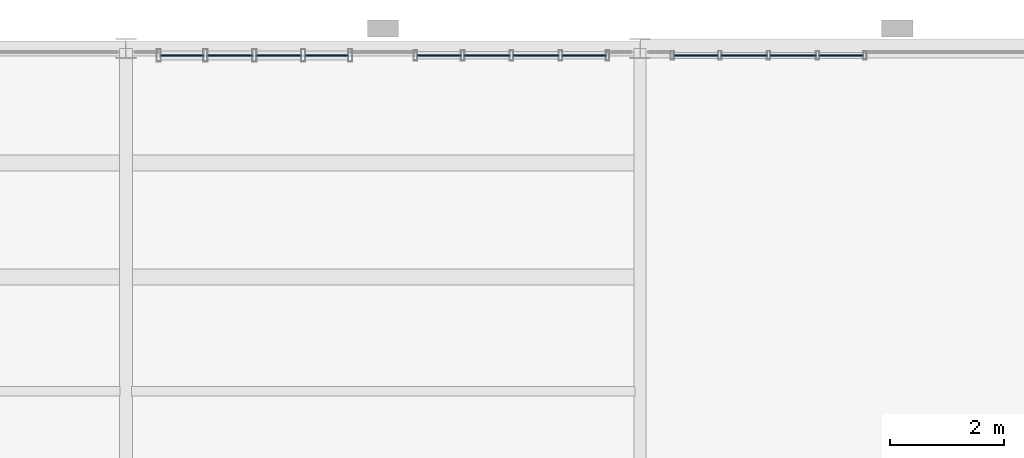
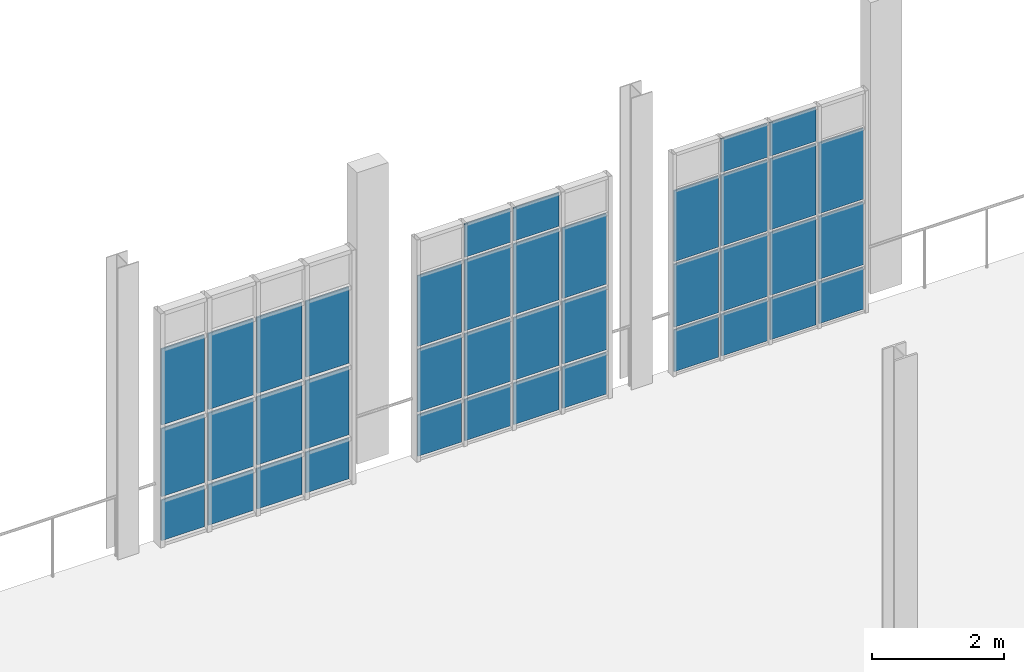
# One storey, part 114 of 142: 40 plates, 3 elements without a shape of their own.
"""IFC4 building model written with IfcOpenShell, lengths in metres."""

from ifc_helpers import new_model, si_unit, direction, frame, origin, origin_2d, place, context, subcontext, project, spatial, rectangle, extrude, material, layer, layer_set, type_object, element, aggregate, save


model = new_model("IFC4")

# Units and contexts
model_context = context("Model", 3, precision=1e-05, world=origin(), true_north=direction((0.0, 1.0)))
body_context = subcontext(model_context, "Body", "Model", "MODEL_VIEW")
ifc_project = project(units=[si_unit("LENGTHUNIT", "METRE"), si_unit("AREAUNIT", "SQUARE_METRE"), si_unit("VOLUMEUNIT", "CUBIC_METRE"), si_unit("PLANEANGLEUNIT", "RADIAN"), si_unit("MASSUNIT", "GRAM", prefix="KILO"), si_unit("THERMODYNAMICTEMPERATUREUNIT", "KELVIN"), si_unit("POWERUNIT", "WATT")], contexts=[model_context])

# Site, building, storey
site_placement = place(None, origin())
site = spatial("IfcSite", under=ifc_project, at=site_placement, CompositionType="ELEMENT")
building_placement = place(site_placement, origin())
building = spatial("IfcBuilding", under=site, at=building_placement, Name="Zelmaris Science Centre", CompositionType="ELEMENT")
storey_placement = place(building_placement, frame((0.0, 0.0, 5.39990234375)))
storey = spatial("IfcBuildingStorey", under=building, at=storey_placement, Name="L01", CompositionType="ELEMENT", Elevation=5.39990234375)

# Curtain wall, plates
ifc_material_1 = material(Name="Anodised architectural aluminium 6063-T6", Category="aluminium")
ifc_layer_1 = layer(ifc_material_1, 0.199951171875, Name="Anodised architectural aluminium 6063-T6")
ifc_layer_set_1 = layer_set([ifc_layer_1], Name="Anodised architectural aluminium 6063-T6")
curtain_wall_type_1 = type_object("IfcCurtainWallType", Name="Curtain Wall CW-02", PredefinedType="USERDEFINED", material=ifc_layer_set_1)
curtain_wall_1_placement = place(storey_placement, origin())
curtain_wall_1 = element("IfcCurtainWall", 1, at=curtain_wall_1_placement, inside=storey, type_object=curtain_wall_type_1, Name="L01 Unitised curtain wall 138", ObjectType="GLAZED CURTAIN WALL", PredefinedType="USERDEFINED")
ifc_material_2 = material(Name="Laminated hurricane-rated low-E insulated glazing", Category="glass")
ifc_layer_2 = layer(ifc_material_2, 0.028076171875, Name="Laminated hurricane-rated low-E insulated glazing")
ifc_layer_set_2 = layer_set([ifc_layer_2], Name="Laminated hurricane-rated low-E insulated glazing")
plate_type_1 = type_object("IfcPlateType", Name="Curtain Glazing Panel CWP-2 28mm", PredefinedType="CURTAIN_PANEL", material=ifc_layer_set_2)
plate_1_placement = place(storey_placement, frame((90.984130859375, 87.8798828125, 0.052001953125), z_axis=(0.0, 0.0, 1.0), x_axis=(1.0, 0.0, 0.0)))
plate_1 = element("IfcPlate", 2, at=plate_1_placement, type_object=plate_type_1, Name="CW-02 panel 1.1", PredefinedType="CURTAIN_PANEL", context=body_context, shape_type="SweptSolid", body=[
    extrude(rectangle(XDim=0.75439453125, YDim=0.028076171875, at=origin_2d()), origin(), (0.0, 0.0, 1.0), 0.74951171875),
])
plate_2_placement = place(storey_placement, frame((90.984130859375, 87.8798828125, 0.86865234375), z_axis=(0.0, 0.0, 1.0), x_axis=(1.0, 0.0, 0.0)))
plate_2 = element("IfcPlate", 3, at=plate_2_placement, type_object=plate_type_1, Name="CW-02 panel 1.2", PredefinedType="CURTAIN_PANEL", context=body_context, shape_type="SweptSolid", body=[
    extrude(rectangle(XDim=0.75439453125, YDim=0.028076171875, at=origin_2d()), origin(), (0.0, 0.0, 1.0), 1.258056640625),
])
plate_3_placement = place(storey_placement, frame((90.984130859375, 87.8798828125, 2.19384765625), z_axis=(0.0, 0.0, 1.0), x_axis=(1.0, 0.0, 0.0)))
plate_3 = element("IfcPlate", 4, at=plate_3_placement, type_object=plate_type_1, Name="CW-02 panel 1.3", PredefinedType="CURTAIN_PANEL", context=body_context, shape_type="SweptSolid", body=[
    extrude(rectangle(XDim=0.75439453125, YDim=0.028076171875, at=origin_2d()), origin(), (0.0, 0.0, 1.0), 1.407958984375),
])
plate_4_placement = place(storey_placement, frame((91.822509765625, 87.8798828125, 0.052001953125), z_axis=(0.0, 0.0, 1.0), x_axis=(1.0, 0.0, 0.0)))
plate_4 = element("IfcPlate", 5, at=plate_4_placement, type_object=plate_type_1, Name="CW-02 panel 2.1", PredefinedType="CURTAIN_PANEL", context=body_context, shape_type="SweptSolid", body=[
    extrude(rectangle(XDim=0.7880859375, YDim=0.028076171875, at=origin_2d()), origin(), (0.0, 0.0, 1.0), 0.74951171875),
])
plate_5_placement = place(storey_placement, frame((91.822509765625, 87.8798828125, 0.86865234375), z_axis=(0.0, 0.0, 1.0), x_axis=(1.0, 0.0, 0.0)))
plate_5 = element("IfcPlate", 6, at=plate_5_placement, type_object=plate_type_1, Name="CW-02 panel 2.2", PredefinedType="CURTAIN_PANEL", context=body_context, shape_type="SweptSolid", body=[
    extrude(rectangle(XDim=0.7880859375, YDim=0.028076171875, at=origin_2d()), origin(), (0.0, 0.0, 1.0), 1.258056640625),
])
plate_6_placement = place(storey_placement, frame((91.822509765625, 87.8798828125, 2.19384765625), z_axis=(0.0, 0.0, 1.0), x_axis=(1.0, 0.0, 0.0)))
plate_6 = element("IfcPlate", 7, at=plate_6_placement, type_object=plate_type_1, Name="CW-02 panel 2.3", PredefinedType="CURTAIN_PANEL", context=body_context, shape_type="SweptSolid", body=[
    extrude(rectangle(XDim=0.7880859375, YDim=0.028076171875, at=origin_2d()), origin(), (0.0, 0.0, 1.0), 1.407958984375),
])
plate_7_placement = place(storey_placement, frame((92.677490234375, 87.8798828125, 0.052001953125), z_axis=(0.0, 0.0, 1.0), x_axis=(1.0, 0.0, 0.0)))
plate_7 = element("IfcPlate", 8, at=plate_7_placement, type_object=plate_type_1, Name="CW-02 panel 3.1", PredefinedType="CURTAIN_PANEL", context=body_context, shape_type="SweptSolid", body=[
    extrude(rectangle(XDim=0.7880859375, YDim=0.028076171875, at=origin_2d()), origin(), (0.0, 0.0, 1.0), 0.74951171875),
])
plate_8_placement = place(storey_placement, frame((92.677490234375, 87.8798828125, 0.86865234375), z_axis=(0.0, 0.0, 1.0), x_axis=(1.0, 0.0, 0.0)))
plate_8 = element("IfcPlate", 9, at=plate_8_placement, type_object=plate_type_1, Name="CW-02 panel 3.2", PredefinedType="CURTAIN_PANEL", context=body_context, shape_type="SweptSolid", body=[
    extrude(rectangle(XDim=0.7880859375, YDim=0.028076171875, at=origin_2d()), origin(), (0.0, 0.0, 1.0), 1.258056640625),
])
plate_9_placement = place(storey_placement, frame((92.677490234375, 87.8798828125, 2.19384765625), z_axis=(0.0, 0.0, 1.0), x_axis=(1.0, 0.0, 0.0)))
plate_9 = element("IfcPlate", 10, at=plate_9_placement, type_object=plate_type_1, Name="CW-02 panel 3.3", PredefinedType="CURTAIN_PANEL", context=body_context, shape_type="SweptSolid", body=[
    extrude(rectangle(XDim=0.7880859375, YDim=0.028076171875, at=origin_2d()), origin(), (0.0, 0.0, 1.0), 1.407958984375),
])
plate_10_placement = place(storey_placement, frame((93.515869140625, 87.8798828125, 0.052001953125), z_axis=(0.0, 0.0, 1.0), x_axis=(1.0, 0.0, 0.0)))
plate_10 = element("IfcPlate", 11, at=plate_10_placement, type_object=plate_type_1, Name="CW-02 panel 4.1", PredefinedType="CURTAIN_PANEL", context=body_context, shape_type="SweptSolid", body=[
    extrude(rectangle(XDim=0.75439453125, YDim=0.028076171875, at=origin_2d()), origin(), (0.0, 0.0, 1.0), 0.74951171875),
])
plate_11_placement = place(storey_placement, frame((93.515869140625, 87.8798828125, 0.86865234375), z_axis=(0.0, 0.0, 1.0), x_axis=(1.0, 0.0, 0.0)))
plate_11 = element("IfcPlate", 12, at=plate_11_placement, type_object=plate_type_1, Name="CW-02 panel 4.2", PredefinedType="CURTAIN_PANEL", context=body_context, shape_type="SweptSolid", body=[
    extrude(rectangle(XDim=0.75439453125, YDim=0.028076171875, at=origin_2d()), origin(), (0.0, 0.0, 1.0), 1.258056640625),
])
plate_12_placement = place(storey_placement, frame((93.515869140625, 87.8798828125, 2.19384765625), z_axis=(0.0, 0.0, 1.0), x_axis=(1.0, 0.0, 0.0)))
plate_12 = element("IfcPlate", 13, at=plate_12_placement, type_object=plate_type_1, Name="CW-02 panel 4.3", PredefinedType="CURTAIN_PANEL", context=body_context, shape_type="SweptSolid", body=[
    extrude(rectangle(XDim=0.75439453125, YDim=0.028076171875, at=origin_2d()), origin(), (0.0, 0.0, 1.0), 1.407958984375),
])
aggregate(curtain_wall_1, [plate_1, plate_2, plate_3, plate_4, plate_5, plate_6, plate_7, plate_8, plate_9, plate_10, plate_11, plate_12])

ifc_layer_3 = layer(ifc_material_1, 0.2099609375, Name="Anodised architectural aluminium 6063-T6")
ifc_layer_set_3 = layer_set([ifc_layer_3], Name="Anodised architectural aluminium 6063-T6")
curtain_wall_type_2 = type_object("IfcCurtainWallType", Name="Curtain Wall CW-03", PredefinedType="USERDEFINED", material=ifc_layer_set_3)
curtain_wall_2_placement = place(storey_placement, origin())
curtain_wall_2 = element("IfcCurtainWall", 14, at=curtain_wall_2_placement, inside=storey, type_object=curtain_wall_type_2, Name="L01 Unitised curtain wall 139", ObjectType="GLAZED CURTAIN WALL", PredefinedType="USERDEFINED")
ifc_layer_4 = layer(ifc_material_2, 0.02587890625, Name="Laminated hurricane-rated low-E insulated glazing")
ifc_layer_set_4 = layer_set([ifc_layer_4], Name="Laminated hurricane-rated low-E insulated glazing")
plate_type_2 = type_object("IfcPlateType", Name="Curtain Glazing Panel CWP-3 26mm", PredefinedType="CURTAIN_PANEL", material=ifc_layer_set_4)
plate_13_placement = place(storey_placement, frame((95.481689453125, 87.8798828125, 0.0419921875), z_axis=(0.0, 0.0, 1.0), x_axis=(1.0, 0.0, 0.0)))
plate_13 = element("IfcPlate", 15, at=plate_13_placement, type_object=plate_type_2, Name="CW-03 panel 1.1", PredefinedType="CURTAIN_PANEL", context=body_context, shape_type="SweptSolid", body=[
    extrude(rectangle(XDim=0.76953125, YDim=0.02587890625, at=origin_2d()), origin(), (0.0, 0.0, 1.0), 0.764404296875),
])
plate_14_placement = place(storey_placement, frame((95.481689453125, 87.8798828125, 0.86376953125), z_axis=(0.0, 0.0, 1.0), x_axis=(1.0, 0.0, 0.0)))
plate_14 = element("IfcPlate", 16, at=plate_14_placement, type_object=plate_type_2, Name="CW-03 panel 1.2", PredefinedType="CURTAIN_PANEL", context=body_context, shape_type="SweptSolid", body=[
    extrude(rectangle(XDim=0.76953125, YDim=0.02587890625, at=origin_2d()), origin(), (0.0, 0.0, 1.0), 1.157470703125),
])
plate_15_placement = place(storey_placement, frame((95.481689453125, 87.8798828125, 2.078125), z_axis=(0.0, 0.0, 1.0), x_axis=(1.0, 0.0, 0.0)))
plate_15 = element("IfcPlate", 17, at=plate_15_placement, type_object=plate_type_2, Name="CW-03 panel 1.3", PredefinedType="CURTAIN_PANEL", context=body_context, shape_type="SweptSolid", body=[
    extrude(rectangle(XDim=0.76953125, YDim=0.02587890625, at=origin_2d()), origin(), (0.0, 0.0, 1.0), 1.3076171875),
])
plate_16_placement = place(storey_placement, frame((96.322509765625, 87.8798828125, 0.0419921875), z_axis=(0.0, 0.0, 1.0), x_axis=(1.0, 0.0, 0.0)))
plate_16 = element("IfcPlate", 18, at=plate_16_placement, type_object=plate_type_2, Name="CW-03 panel 2.1", PredefinedType="CURTAIN_PANEL", context=body_context, shape_type="SweptSolid", body=[
    extrude(rectangle(XDim=0.798095703125, YDim=0.02587890625, at=origin_2d()), origin(), (0.0, 0.0, 1.0), 0.764404296875),
])
plate_17_placement = place(storey_placement, frame((96.322509765625, 87.8798828125, 0.86376953125), z_axis=(0.0, 0.0, 1.0), x_axis=(1.0, 0.0, 0.0)))
plate_17 = element("IfcPlate", 19, at=plate_17_placement, type_object=plate_type_2, Name="CW-03 panel 2.2", PredefinedType="CURTAIN_PANEL", context=body_context, shape_type="SweptSolid", body=[
    extrude(rectangle(XDim=0.798095703125, YDim=0.02587890625, at=origin_2d()), origin(), (0.0, 0.0, 1.0), 1.157470703125),
])
plate_18_placement = place(storey_placement, frame((96.322509765625, 87.8798828125, 2.078125), z_axis=(0.0, 0.0, 1.0), x_axis=(1.0, 0.0, 0.0)))
plate_18 = element("IfcPlate", 20, at=plate_18_placement, type_object=plate_type_2, Name="CW-03 panel 2.3", PredefinedType="CURTAIN_PANEL", context=body_context, shape_type="SweptSolid", body=[
    extrude(rectangle(XDim=0.798095703125, YDim=0.02587890625, at=origin_2d()), origin(), (0.0, 0.0, 1.0), 1.3076171875),
])
plate_19_placement = place(storey_placement, frame((96.322509765625, 87.8798828125, 3.4423828125), z_axis=(0.0, 0.0, 1.0), x_axis=(1.0, 0.0, 0.0)))
plate_19 = element("IfcPlate", 21, at=plate_19_placement, type_object=plate_type_2, Name="CW-03 panel 2.4", PredefinedType="CURTAIN_PANEL", context=body_context, shape_type="SweptSolid", body=[
    extrude(rectangle(XDim=0.798095703125, YDim=0.02587890625, at=origin_2d()), origin(), (0.0, 0.0, 1.0), 0.614501953125),
])
plate_20_placement = place(storey_placement, frame((97.177490234375, 87.8798828125, 0.0419921875), z_axis=(0.0, 0.0, 1.0), x_axis=(1.0, 0.0, 0.0)))
plate_20 = element("IfcPlate", 22, at=plate_20_placement, type_object=plate_type_2, Name="CW-03 panel 3.1", PredefinedType="CURTAIN_PANEL", context=body_context, shape_type="SweptSolid", body=[
    extrude(rectangle(XDim=0.798095703125, YDim=0.02587890625, at=origin_2d()), origin(), (0.0, 0.0, 1.0), 0.764404296875),
])
plate_21_placement = place(storey_placement, frame((97.177490234375, 87.8798828125, 0.86376953125), z_axis=(0.0, 0.0, 1.0), x_axis=(1.0, 0.0, 0.0)))
plate_21 = element("IfcPlate", 23, at=plate_21_placement, type_object=plate_type_2, Name="CW-03 panel 3.2", PredefinedType="CURTAIN_PANEL", context=body_context, shape_type="SweptSolid", body=[
    extrude(rectangle(XDim=0.798095703125, YDim=0.02587890625, at=origin_2d()), origin(), (0.0, 0.0, 1.0), 1.157470703125),
])
plate_22_placement = place(storey_placement, frame((97.177490234375, 87.8798828125, 2.078125), z_axis=(0.0, 0.0, 1.0), x_axis=(1.0, 0.0, 0.0)))
plate_22 = element("IfcPlate", 24, at=plate_22_placement, type_object=plate_type_2, Name="CW-03 panel 3.3", PredefinedType="CURTAIN_PANEL", context=body_context, shape_type="SweptSolid", body=[
    extrude(rectangle(XDim=0.798095703125, YDim=0.02587890625, at=origin_2d()), origin(), (0.0, 0.0, 1.0), 1.3076171875),
])
plate_23_placement = place(storey_placement, frame((97.177490234375, 87.8798828125, 3.4423828125), z_axis=(0.0, 0.0, 1.0), x_axis=(1.0, 0.0, 0.0)))
plate_23 = element("IfcPlate", 25, at=plate_23_placement, type_object=plate_type_2, Name="CW-03 panel 3.4", PredefinedType="CURTAIN_PANEL", context=body_context, shape_type="SweptSolid", body=[
    extrude(rectangle(XDim=0.798095703125, YDim=0.02587890625, at=origin_2d()), origin(), (0.0, 0.0, 1.0), 0.614501953125),
])
plate_24_placement = place(storey_placement, frame((98.018310546875, 87.8798828125, 0.0419921875), z_axis=(0.0, 0.0, 1.0), x_axis=(1.0, 0.0, 0.0)))
plate_24 = element("IfcPlate", 26, at=plate_24_placement, type_object=plate_type_2, Name="CW-03 panel 4.1", PredefinedType="CURTAIN_PANEL", context=body_context, shape_type="SweptSolid", body=[
    extrude(rectangle(XDim=0.76953125, YDim=0.02587890625, at=origin_2d()), origin(), (0.0, 0.0, 1.0), 0.764404296875),
])
plate_25_placement = place(storey_placement, frame((98.018310546875, 87.8798828125, 0.86376953125), z_axis=(0.0, 0.0, 1.0), x_axis=(1.0, 0.0, 0.0)))
plate_25 = element("IfcPlate", 27, at=plate_25_placement, type_object=plate_type_2, Name="CW-03 panel 4.2", PredefinedType="CURTAIN_PANEL", context=body_context, shape_type="SweptSolid", body=[
    extrude(rectangle(XDim=0.76953125, YDim=0.02587890625, at=origin_2d()), origin(), (0.0, 0.0, 1.0), 1.157470703125),
])
plate_26_placement = place(storey_placement, frame((98.018310546875, 87.8798828125, 2.078125), z_axis=(0.0, 0.0, 1.0), x_axis=(1.0, 0.0, 0.0)))
plate_26 = element("IfcPlate", 28, at=plate_26_placement, type_object=plate_type_2, Name="CW-03 panel 4.3", PredefinedType="CURTAIN_PANEL", context=body_context, shape_type="SweptSolid", body=[
    extrude(rectangle(XDim=0.76953125, YDim=0.02587890625, at=origin_2d()), origin(), (0.0, 0.0, 1.0), 1.3076171875),
])
aggregate(curtain_wall_2, [plate_13, plate_14, plate_15, plate_16, plate_17, plate_18, plate_19, plate_20, plate_21, plate_22, plate_23, plate_24, plate_25, plate_26])

ifc_layer_5 = layer(ifc_material_1, 0.219970703125, Name="Anodised architectural aluminium 6063-T6")
ifc_layer_set_5 = layer_set([ifc_layer_5], Name="Anodised architectural aluminium 6063-T6")
curtain_wall_type_3 = type_object("IfcCurtainWallType", Name="Curtain Wall CW-04", PredefinedType="USERDEFINED", material=ifc_layer_set_5)
curtain_wall_3_placement = place(storey_placement, origin())
curtain_wall_3 = element("IfcCurtainWall", 29, at=curtain_wall_3_placement, inside=storey, type_object=curtain_wall_type_3, Name="L01 Unitised curtain wall 140", ObjectType="GLAZED CURTAIN WALL", PredefinedType="USERDEFINED")
ifc_layer_6 = layer(ifc_material_2, 0.02392578125, Name="Laminated hurricane-rated low-E insulated glazing")
ifc_layer_set_6 = layer_set([ifc_layer_6], Name="Laminated hurricane-rated low-E insulated glazing")
plate_type_3 = type_object("IfcPlateType", Name="Curtain Glazing Panel CWP-4 24mm", PredefinedType="CURTAIN_PANEL", material=ifc_layer_set_6)
plate_27_placement = place(storey_placement, frame((99.98046875, 87.8798828125, 0.037109375), z_axis=(0.0, 0.0, 1.0), x_axis=(1.0, 0.0, 0.0)))
plate_27 = element("IfcPlate", 30, at=plate_27_placement, type_object=plate_type_3, Name="CW-04 panel 1.1", PredefinedType="CURTAIN_PANEL", context=body_context, shape_type="SweptSolid", body=[
    extrude(rectangle(XDim=0.777099609375, YDim=0.02392578125, at=origin_2d()), origin(), (0.0, 0.0, 1.0), 0.77197265625),
])
plate_28_placement = place(storey_placement, frame((99.98046875, 87.8798828125, 0.861083984375), z_axis=(0.0, 0.0, 1.0), x_axis=(1.0, 0.0, 0.0)))
plate_28 = element("IfcPlate", 31, at=plate_28_placement, type_object=plate_type_3, Name="CW-04 panel 1.2", PredefinedType="CURTAIN_PANEL", context=body_context, shape_type="SweptSolid", body=[
    extrude(rectangle(XDim=0.777099609375, YDim=0.02392578125, at=origin_2d()), origin(), (0.0, 0.0, 1.0), 1.16259765625),
])
plate_29_placement = place(storey_placement, frame((99.98046875, 87.8798828125, 2.07568359375), z_axis=(0.0, 0.0, 1.0), x_axis=(1.0, 0.0, 0.0)))
plate_29 = element("IfcPlate", 32, at=plate_29_placement, type_object=plate_type_3, Name="CW-04 panel 1.3", PredefinedType="CURTAIN_PANEL", context=body_context, shape_type="SweptSolid", body=[
    extrude(rectangle(XDim=0.777099609375, YDim=0.02392578125, at=origin_2d()), origin(), (0.0, 0.0, 1.0), 1.3125),
])
plate_30_placement = place(storey_placement, frame((100.822509765625, 87.8798828125, 0.037109375), z_axis=(0.0, 0.0, 1.0), x_axis=(1.0, 0.0, 0.0)))
plate_30 = element("IfcPlate", 33, at=plate_30_placement, type_object=plate_type_3, Name="CW-04 panel 2.1", PredefinedType="CURTAIN_PANEL", context=body_context, shape_type="SweptSolid", body=[
    extrude(rectangle(XDim=0.802978515625, YDim=0.02392578125, at=origin_2d()), origin(), (0.0, 0.0, 1.0), 0.77197265625),
])
plate_31_placement = place(storey_placement, frame((100.822509765625, 87.8798828125, 0.861083984375), z_axis=(0.0, 0.0, 1.0), x_axis=(1.0, 0.0, 0.0)))
plate_31 = element("IfcPlate", 34, at=plate_31_placement, type_object=plate_type_3, Name="CW-04 panel 2.2", PredefinedType="CURTAIN_PANEL", context=body_context, shape_type="SweptSolid", body=[
    extrude(rectangle(XDim=0.802978515625, YDim=0.02392578125, at=origin_2d()), origin(), (0.0, 0.0, 1.0), 1.16259765625),
])
plate_32_placement = place(storey_placement, frame((100.822509765625, 87.8798828125, 2.07568359375), z_axis=(0.0, 0.0, 1.0), x_axis=(1.0, 0.0, 0.0)))
plate_32 = element("IfcPlate", 35, at=plate_32_placement, type_object=plate_type_3, Name="CW-04 panel 2.3", PredefinedType="CURTAIN_PANEL", context=body_context, shape_type="SweptSolid", body=[
    extrude(rectangle(XDim=0.802978515625, YDim=0.02392578125, at=origin_2d()), origin(), (0.0, 0.0, 1.0), 1.3125),
])
plate_33_placement = place(storey_placement, frame((100.822509765625, 87.8798828125, 3.43994140625), z_axis=(0.0, 0.0, 1.0), x_axis=(1.0, 0.0, 0.0)))
plate_33 = element("IfcPlate", 36, at=plate_33_placement, type_object=plate_type_3, Name="CW-04 panel 2.4", PredefinedType="CURTAIN_PANEL", context=body_context, shape_type="SweptSolid", body=[
    extrude(rectangle(XDim=0.802978515625, YDim=0.02392578125, at=origin_2d()), origin(), (0.0, 0.0, 1.0), 0.6220703125),
])
plate_34_placement = place(storey_placement, frame((101.677490234375, 87.8798828125, 0.037109375), z_axis=(0.0, 0.0, 1.0), x_axis=(1.0, 0.0, 0.0)))
plate_34 = element("IfcPlate", 37, at=plate_34_placement, type_object=plate_type_3, Name="CW-04 panel 3.1", PredefinedType="CURTAIN_PANEL", context=body_context, shape_type="SweptSolid", body=[
    extrude(rectangle(XDim=0.802978515625, YDim=0.02392578125, at=origin_2d()), origin(), (0.0, 0.0, 1.0), 0.77197265625),
])
plate_35_placement = place(storey_placement, frame((101.677490234375, 87.8798828125, 0.861083984375), z_axis=(0.0, 0.0, 1.0), x_axis=(1.0, 0.0, 0.0)))
plate_35 = element("IfcPlate", 38, at=plate_35_placement, type_object=plate_type_3, Name="CW-04 panel 3.2", PredefinedType="CURTAIN_PANEL", context=body_context, shape_type="SweptSolid", body=[
    extrude(rectangle(XDim=0.802978515625, YDim=0.02392578125, at=origin_2d()), origin(), (0.0, 0.0, 1.0), 1.16259765625),
])
plate_36_placement = place(storey_placement, frame((101.677490234375, 87.8798828125, 2.07568359375), z_axis=(0.0, 0.0, 1.0), x_axis=(1.0, 0.0, 0.0)))
plate_36 = element("IfcPlate", 39, at=plate_36_placement, type_object=plate_type_3, Name="CW-04 panel 3.3", PredefinedType="CURTAIN_PANEL", context=body_context, shape_type="SweptSolid", body=[
    extrude(rectangle(XDim=0.802978515625, YDim=0.02392578125, at=origin_2d()), origin(), (0.0, 0.0, 1.0), 1.3125),
])
plate_37_placement = place(storey_placement, frame((101.677490234375, 87.8798828125, 3.43994140625), z_axis=(0.0, 0.0, 1.0), x_axis=(1.0, 0.0, 0.0)))
plate_37 = element("IfcPlate", 40, at=plate_37_placement, type_object=plate_type_3, Name="CW-04 panel 3.4", PredefinedType="CURTAIN_PANEL", context=body_context, shape_type="SweptSolid", body=[
    extrude(rectangle(XDim=0.802978515625, YDim=0.02392578125, at=origin_2d()), origin(), (0.0, 0.0, 1.0), 0.6220703125),
])
plate_38_placement = place(storey_placement, frame((102.51953125, 87.8798828125, 0.037109375), z_axis=(0.0, 0.0, 1.0), x_axis=(1.0, 0.0, 0.0)))
plate_38 = element("IfcPlate", 41, at=plate_38_placement, type_object=plate_type_3, Name="CW-04 panel 4.1", PredefinedType="CURTAIN_PANEL", context=body_context, shape_type="SweptSolid", body=[
    extrude(rectangle(XDim=0.777099609375, YDim=0.02392578125, at=origin_2d()), origin(), (0.0, 0.0, 1.0), 0.77197265625),
])
plate_39_placement = place(storey_placement, frame((102.51953125, 87.8798828125, 0.861083984375), z_axis=(0.0, 0.0, 1.0), x_axis=(1.0, 0.0, 0.0)))
plate_39 = element("IfcPlate", 42, at=plate_39_placement, type_object=plate_type_3, Name="CW-04 panel 4.2", PredefinedType="CURTAIN_PANEL", context=body_context, shape_type="SweptSolid", body=[
    extrude(rectangle(XDim=0.777099609375, YDim=0.02392578125, at=origin_2d()), origin(), (0.0, 0.0, 1.0), 1.16259765625),
])
plate_40_placement = place(storey_placement, frame((102.51953125, 87.8798828125, 2.07568359375), z_axis=(0.0, 0.0, 1.0), x_axis=(1.0, 0.0, 0.0)))
plate_40 = element("IfcPlate", 43, at=plate_40_placement, type_object=plate_type_3, Name="CW-04 panel 4.3", PredefinedType="CURTAIN_PANEL", context=body_context, shape_type="SweptSolid", body=[
    extrude(rectangle(XDim=0.777099609375, YDim=0.02392578125, at=origin_2d()), origin(), (0.0, 0.0, 1.0), 1.3125),
])
aggregate(curtain_wall_3, [plate_27, plate_28, plate_29, plate_30, plate_31, plate_32, plate_33, plate_34, plate_35, plate_36, plate_37, plate_38, plate_39, plate_40])

save(model, "model.ifc")
